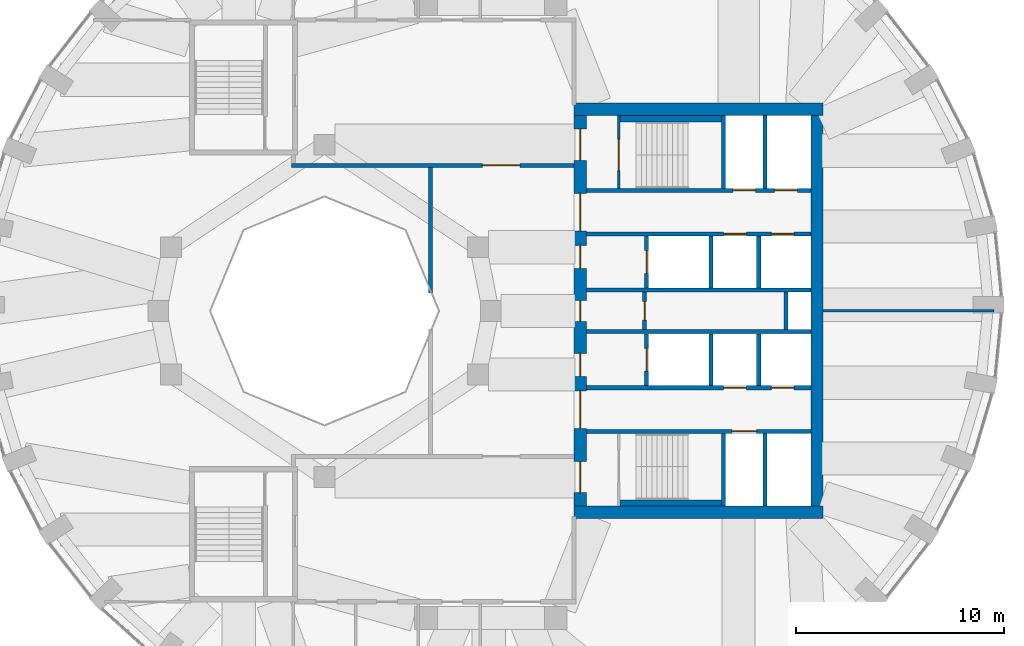
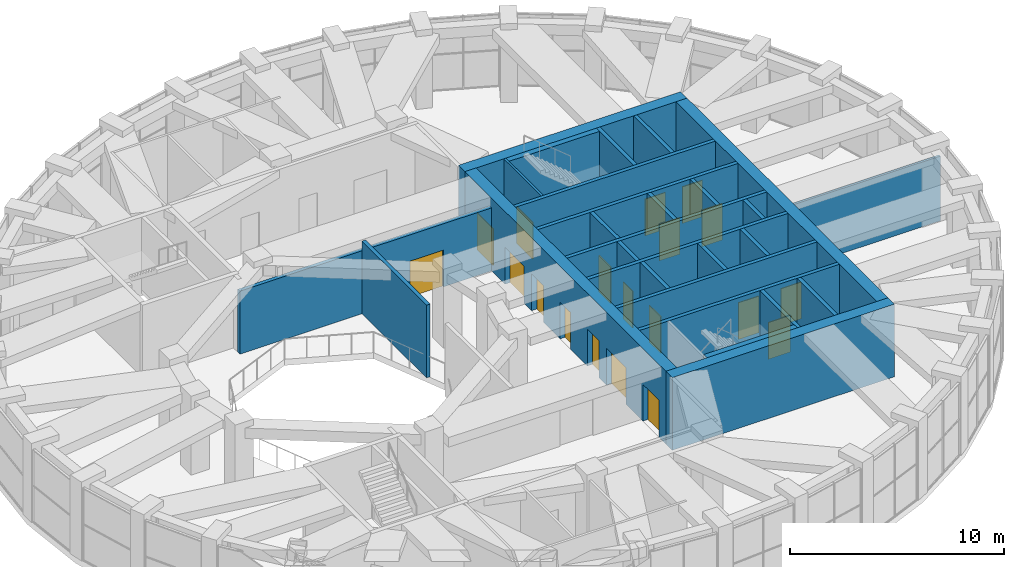
# One storey, part 14 of 17: 28 walls, 19 doors, 19 openings.
"""IFC4 building model written with IfcOpenShell, lengths in metres."""

from ifc_helpers import new_model, si_unit, direction, frame, frame_2d, origin, place, context, subcontext, project, spatial, rectangle, extrude, material, layer, layer_set, type_object, element, fill, save


model = new_model("IFC4")

# Units and contexts
model_context = context("Model", 3, precision=1e-05, world=origin(), true_north=direction((0.0, 1.0)))
body_context = subcontext(model_context, "Body", "Model", "MODEL_VIEW")
ifc_project = project(units=[si_unit("LENGTHUNIT", "METRE"), si_unit("AREAUNIT", "SQUARE_METRE"), si_unit("VOLUMEUNIT", "CUBIC_METRE"), si_unit("PLANEANGLEUNIT", "RADIAN"), si_unit("MASSUNIT", "GRAM", prefix="KILO")], contexts=[model_context])

# Site, building, storey
site_placement = place(None, origin())
site = spatial("IfcSite", under=ifc_project, at=site_placement, CompositionType="ELEMENT")
building_placement = place(site_placement, origin())
building = spatial("IfcBuilding", under=site, at=building_placement, Name="Taillehof Tower", CompositionType="ELEMENT")
storey_placement = place(building_placement, frame((0.0, 0.0, 259.699951171875)))
storey = spatial("IfcBuildingStorey", under=building, at=storey_placement, Name="L74", CompositionType="ELEMENT", Elevation=259.699951171875)

# Wall, opening, door
ifc_material_1 = material(Name="Calcium silicate blockwork", Category="masonry")
ifc_layer_1 = layer(ifc_material_1, 0.199951171875)
ifc_layer_set_1 = layer_set([ifc_layer_1], Name="Compartment wall EI 60 200 mm")
wall_type_1 = type_object("IfcWallType", Name="Compartment wall EI 60 200 mm", PredefinedType="PARTITIONING", material=ifc_layer_set_1)
wall_1_placement = place(storey_placement, frame((-9.60009765625, 7.0, 0.0), z_axis=(0.0, 0.0, 1.0), x_axis=(1.0, 0.0, 0.0)))
wall_1 = element("IfcWall", 1, at=wall_1_placement, inside=storey, type_object=wall_type_1, Name="Wall L74-07 / L74-12", PredefinedType="PARTITIONING", context=body_context, shape_type="SweptSolid", body=[
    extrude(rectangle(XDim=13.60205078125, YDim=0.199951171875, at=frame_2d((6.801025390625, 0.0))), origin(), (0.0, 0.0, 1.0), 3.60009765625),
])
opening_1_placement = place(wall_1_placement, frame((9.200927734375, 0.0, 0.0)))
opening_1 = element("IfcOpeningElement", 2, at=opening_1_placement, cuts=wall_1, Name="Opening D7447", PredefinedType="OPENING", context=body_context, shape_type="SweptSolid", body=[
    extrude(rectangle(XDim=1.800048828125, YDim=2.10009765625, at=frame_2d((0.89990234375, 1.050048828125))), frame((0.0, 0.10986328125, 0.0), z_axis=(0.0, -1.0, 0.0), x_axis=(1.0, 0.0, 0.0)), (0.0, 0.0, 1.0), 0.219970703125),
])
ifc_material_2 = material(Name="Hollow metal door set")
door_type_1 = type_object("IfcDoorType", Name="Double door 1800 x 2100 FD60S", OperationType="DOUBLE_DOOR_SINGLE_SWING", PredefinedType="DOOR", material=ifc_material_2)
door_1_placement = place(opening_1_placement, origin())
door_1 = element("IfcDoor", 3, at=door_1_placement, inside=storey, type_object=door_type_1, Name="Door D7447", OperationType="DOUBLE_DOOR_SINGLE_SWING", OverallHeight=2.10009765625, OverallWidth=1.800048828125, PredefinedType="DOOR", context=body_context, shape_type="SweptSolid", body=[
    extrude(rectangle(XDim=1.800048828125, YDim=2.10009765625, at=frame_2d((0.89990234375, 1.050048828125))), frame((0.0, 0.02490234375, 0.0), z_axis=(0.0, -1.0, 0.0), x_axis=(1.0, 0.0, 0.0)), (0.0, 0.0, 1.0), 0.050048828125),
])
fill(opening_1, door_1)

# Wall
wall_2_placement = place(storey_placement, frame((-2.89990234375, 0.86572265625, 0.0), z_axis=(0.0, 0.0, 1.0), x_axis=(0.0, 1.0, 0.0)))
element("IfcWall", 4, at=wall_2_placement, inside=storey, type_object=wall_type_1, Name="Wall L74-09 / L74-12", PredefinedType="PARTITIONING", context=body_context, shape_type="SweptSolid", body=[
    extrude(rectangle(XDim=6.0341796875, YDim=0.199951171875, at=frame_2d((3.01708984375, 0.0))), origin(), (0.0, 0.0, 1.0), 4.150146484375),
])

# Wall, opening, door
ifc_material_3 = material(Name="Calcium silicate masonry", Category="masonry")
ifc_layer_2 = layer(ifc_material_3, 0.199951171875)
ifc_layer_set_2 = layer_set([ifc_layer_2], Name="Compartment wall calcium silicate 200")
wall_type_2 = type_object("IfcWallType", Name="Compartment wall calcium silicate 200", PredefinedType="PARTITIONING", material=ifc_layer_set_2)
wall_3_placement = place(storey_placement, frame((7.39990234375, -0.89990234375, 0.0), z_axis=(0.0, 0.0, 1.0), x_axis=(0.0, 1.0, 0.0)))
wall_3 = element("IfcWall", 5, at=wall_3_placement, inside=storey, type_object=wall_type_2, Name="Compartment wall FW", PredefinedType="PARTITIONING", context=body_context, shape_type="SweptSolid", body=[
    extrude(rectangle(XDim=1.7998046875, YDim=0.199951171875, at=frame_2d((0.89990234375, 0.0))), origin(), (0.0, 0.0, 1.0), 4.150146484375),
])
opening_2_placement = place(wall_3_placement, frame((0.449951171875, 0.0, 0.0)))
opening_2 = element("IfcOpeningElement", 6, at=opening_2_placement, cuts=wall_3, Name="Opening D7412", PredefinedType="OPENING", context=body_context, shape_type="SweptSolid", body=[
    extrude(rectangle(XDim=0.89990234375, YDim=2.10009765625, at=frame_2d((0.449951171875, 1.050048828125))), frame((0.0, 0.10986328125, 0.0), z_axis=(0.0, -1.0, 0.0), x_axis=(1.0, 0.0, 0.0)), (0.0, 0.0, 1.0), 0.219970703125),
])
ifc_material_4 = material(Name="Steel-faced fire door", Category="steel")
door_type_2 = type_object("IfcDoorType", Name="Riser and service room door 900x2100", OperationType="SINGLE_SWING_LEFT", PredefinedType="DOOR", material=ifc_material_4)
door_2_placement = place(opening_2_placement, origin())
door_2 = element("IfcDoor", 7, at=door_2_placement, inside=storey, type_object=door_type_2, Name="Door Bms Room", OperationType="SINGLE_SWING_RIGHT", OverallHeight=2.10009765625, OverallWidth=0.89990234375, PredefinedType="DOOR", context=body_context, shape_type="SweptSolid", body=[
    extrude(rectangle(XDim=0.89990234375, YDim=2.10009765625, at=frame_2d((0.449951171875, 1.050048828125))), frame((0.0, 0.02490234375, 0.0), z_axis=(0.0, -1.0, 0.0), x_axis=(1.0, 0.0, 0.0)), (0.0, 0.0, 1.0), 0.050048828125),
])
fill(opening_2, door_2)

# Walls
wall_4_placement = place(storey_placement, frame((14.199951171875, -0.89990234375, 0.0), z_axis=(0.0, 0.0, 1.0), x_axis=(0.0, 1.0, 0.0)))
element("IfcWall", 8, at=wall_4_placement, inside=storey, type_object=wall_type_2, Name="Compartment wall FW", PredefinedType="PARTITIONING", context=body_context, shape_type="SweptSolid", body=[
    extrude(rectangle(XDim=1.7998046875, YDim=0.199951171875, at=frame_2d((0.89990234375, 0.0))), origin(), (0.0, 0.0, 1.0), 4.150146484375),
])
ifc_material_5 = material(Name="Calcium silicate masonry", Category="masonry")
ifc_layer_3 = layer(ifc_material_5, 0.300048828125)
ifc_layer_set_3 = layer_set([ifc_layer_3], Name="Compartment wall lining calcium silicate 300")
wall_type_3 = type_object("IfcWallType", Name="Compartment wall lining calcium silicate 300", PredefinedType="PARTITIONING", material=ifc_layer_set_3)
for number, where, z_axis, x_axis, name in (
    (9, (6.219970703125, 9.25, 0.0), (0.0, 0.0, 1.0), (1.0, 0.0, 0.0), "Compartment wall FW"),
    (10, (6.219970703125, -9.25, 0.0), (0.0, 0.0, 1.0), (1.0, 0.0, 0.0), "Compartment wall FW"),
):
    element("IfcWall", number, at=place(storey_placement, frame(where, z_axis=z_axis, x_axis=x_axis)), inside=storey, type_object=wall_type_3, Name=name, PredefinedType="PARTITIONING", context=body_context, shape_type="SweptSolid", body=[
        extrude(rectangle(XDim=4.880126953125, YDim=0.300048828125, at=frame_2d((2.43994140625, 0.0))), origin(), (0.0, 0.0, 1.0), 4.150146484375),
    ])

# Wall, openings, doors
ifc_material_6 = material(Name="Concrete C80/95", Category="concrete")
ifc_layer_4 = layer(ifc_material_6, 0.60009765625)
ifc_layer_set_4 = layer_set([ifc_layer_4], Name="Core wall C80/95 600")
wall_type_4 = type_object("IfcWallType", Name="Core wall C80/95 600", PredefinedType="SHEAR", material=ifc_layer_set_4)
wall_5_placement = place(storey_placement, frame((4.300048828125, -9.39990234375, 0.0), z_axis=(0.0, 0.0, 1.0), x_axis=(0.0, 1.0, 0.0)))
wall_5 = element("IfcWall", 11, at=wall_5_placement, inside=storey, type_object=wall_type_4, Name="Core wall CW01", PredefinedType="SHEAR", context=body_context, shape_type="SweptSolid", body=[
    extrude(rectangle(XDim=18.7998046875, YDim=0.60009765625, at=frame_2d((9.39990234375, 0.0))), origin(), (0.0, 0.0, 1.0), 4.150146484375),
])
opening_3_placement = place(wall_5_placement, frame((0.64990234375, 0.0, 0.0)))
opening_3 = element("IfcOpeningElement", 12, at=opening_3_placement, cuts=wall_5, Name="Opening D7401", PredefinedType="OPENING", context=body_context, shape_type="SweptSolid", body=[
    extrude(rectangle(XDim=1.5, YDim=2.10009765625, at=frame_2d((0.75, 1.050048828125))), frame((0.0, 0.31005859375, 0.0), z_axis=(0.0, -1.0, 0.0), x_axis=(1.0, 0.0, 0.0)), (0.0, 0.0, 1.0), 0.6201171875),
])
opening_4_placement = place(wall_5_placement, frame((3.75, 0.0, 0.0)))
opening_4 = element("IfcOpeningElement", 13, at=opening_4_placement, cuts=wall_5, Name="Opening D7402", PredefinedType="OPENING", context=body_context, shape_type="SweptSolid", body=[
    extrude(rectangle(XDim=1.800048828125, YDim=2.10009765625, at=frame_2d((0.89990234375, 1.050048828125))), frame((0.0, 0.31005859375, 0.0), z_axis=(0.0, -1.0, 0.0), x_axis=(1.0, 0.0, 0.0)), (0.0, 0.0, 1.0), 0.6201171875),
])
opening_5_placement = place(wall_5_placement, frame((6.25, 0.0, 0.0)))
opening_5 = element("IfcOpeningElement", 14, at=opening_5_placement, cuts=wall_5, Name="Opening D7403", PredefinedType="OPENING", context=body_context, shape_type="SweptSolid", body=[
    extrude(rectangle(XDim=1.10009765625, YDim=2.10009765625, at=frame_2d((0.550048828125, 1.050048828125))), frame((0.0, 0.31005859375, 0.0), z_axis=(0.0, -1.0, 0.0), x_axis=(1.0, 0.0, 0.0)), (0.0, 0.0, 1.0), 0.6201171875),
])
opening_6_placement = place(wall_5_placement, frame((8.89990234375, 0.0, 0.0)))
opening_6 = element("IfcOpeningElement", 15, at=opening_6_placement, cuts=wall_5, Name="Opening D7404", PredefinedType="OPENING", context=body_context, shape_type="SweptSolid", body=[
    extrude(rectangle(XDim=1.0, YDim=2.10009765625, at=frame_2d((0.5, 1.050048828125))), frame((0.0, 0.31005859375, 0.0), z_axis=(0.0, -1.0, 0.0), x_axis=(1.0, 0.0, 0.0)), (0.0, 0.0, 1.0), 0.6201171875),
])
opening_7_placement = place(wall_5_placement, frame((11.449951171875, 0.0, 0.0)))
opening_7 = element("IfcOpeningElement", 16, at=opening_7_placement, cuts=wall_5, Name="Opening D7405", PredefinedType="OPENING", context=body_context, shape_type="SweptSolid", body=[
    extrude(rectangle(XDim=1.10009765625, YDim=2.10009765625, at=frame_2d((0.550048828125, 1.050048828125))), frame((0.0, 0.31005859375, 0.0), z_axis=(0.0, -1.0, 0.0), x_axis=(1.0, 0.0, 0.0)), (0.0, 0.0, 1.0), 0.6201171875),
])
opening_8_placement = place(wall_5_placement, frame((13.25, 0.0, 0.0)))
opening_8 = element("IfcOpeningElement", 17, at=opening_8_placement, cuts=wall_5, Name="Opening D7406", PredefinedType="OPENING", context=body_context, shape_type="SweptSolid", body=[
    extrude(rectangle(XDim=1.800048828125, YDim=2.10009765625, at=frame_2d((0.89990234375, 1.050048828125))), frame((0.0, 0.31005859375, 0.0), z_axis=(0.0, -1.0, 0.0), x_axis=(1.0, 0.0, 0.0)), (0.0, 0.0, 1.0), 0.6201171875),
])
opening_9_placement = place(wall_5_placement, frame((16.64990234375, 0.0, 0.0)))
opening_9 = element("IfcOpeningElement", 18, at=opening_9_placement, cuts=wall_5, Name="Opening D7407", PredefinedType="OPENING", context=body_context, shape_type="SweptSolid", body=[
    extrude(rectangle(XDim=1.5, YDim=2.10009765625, at=frame_2d((0.75, 1.050048828125))), frame((0.0, 0.31005859375, 0.0), z_axis=(0.0, -1.0, 0.0), x_axis=(1.0, 0.0, 0.0)), (0.0, 0.0, 1.0), 0.6201171875),
])
ifc_material_7 = material(Name="Steel-faced fire door", Category="steel")
door_type_3 = type_object("IfcDoorType", Name="Firefighting lobby door 1100x2100", OperationType="SINGLE_SWING_RIGHT", PredefinedType="DOOR", material=ifc_material_7)
door_3_placement = place(opening_5_placement, origin())
door_3 = element("IfcDoor", 19, at=door_3_placement, inside=storey, type_object=door_type_3, Name="Firefighting lobby door FFL-S", OperationType="SINGLE_SWING_RIGHT", OverallHeight=2.10009765625, OverallWidth=1.10009765625, PredefinedType="DOOR", context=body_context, shape_type="SweptSolid", body=[
    extrude(rectangle(XDim=1.10009765625, YDim=2.10009765625, at=frame_2d((0.550048828125, 1.050048828125))), frame((0.0, 0.02490234375, 0.0), z_axis=(0.0, -1.0, 0.0), x_axis=(1.0, 0.0, 0.0)), (0.0, 0.0, 1.0), 0.050048828125),
])
fill(opening_5, door_3)
door_4_placement = place(opening_7_placement, origin())
door_4 = element("IfcDoor", 20, at=door_4_placement, inside=storey, type_object=door_type_3, Name="Firefighting lobby door FFL-N", OperationType="SINGLE_SWING_LEFT", OverallHeight=2.10009765625, OverallWidth=1.10009765625, PredefinedType="DOOR", context=body_context, shape_type="SweptSolid", body=[
    extrude(rectangle(XDim=1.10009765625, YDim=2.10009765625, at=frame_2d((0.550048828125, 1.050048828125))), frame((0.0, 0.02490234375, 0.0), z_axis=(0.0, -1.0, 0.0), x_axis=(1.0, 0.0, 0.0)), (0.0, 0.0, 1.0), 0.050048828125),
])
fill(opening_7, door_4)
ifc_material_8 = material(Name="Steel-faced fire door", Category="steel")
door_type_4 = type_object("IfcDoorType", Name="Lift lobby door 1800x2100", OperationType="DOUBLE_DOOR_SINGLE_SWING", PredefinedType="DOOR", material=ifc_material_8)
door_5_placement = place(opening_4_placement, origin())
door_5 = element("IfcDoor", 21, at=door_5_placement, inside=storey, type_object=door_type_4, Name="Lift lobby door LL-S", OperationType="DOUBLE_DOOR_SINGLE_SWING", OverallHeight=2.10009765625, OverallWidth=1.800048828125, PredefinedType="DOOR", context=body_context, shape_type="SweptSolid", body=[
    extrude(rectangle(XDim=1.800048828125, YDim=2.10009765625, at=frame_2d((0.89990234375, 1.050048828125))), frame((0.0, 0.02490234375, 0.0), z_axis=(0.0, -1.0, 0.0), x_axis=(1.0, 0.0, 0.0)), (0.0, 0.0, 1.0), 0.050048828125),
])
fill(opening_4, door_5)
door_6_placement = place(opening_8_placement, origin())
door_6 = element("IfcDoor", 22, at=door_6_placement, inside=storey, type_object=door_type_4, Name="Lift lobby door LL-N", OperationType="DOUBLE_DOOR_SINGLE_SWING", OverallHeight=2.10009765625, OverallWidth=1.800048828125, PredefinedType="DOOR", context=body_context, shape_type="SweptSolid", body=[
    extrude(rectangle(XDim=1.800048828125, YDim=2.10009765625, at=frame_2d((0.89990234375, 1.050048828125))), frame((0.0, 0.02490234375, 0.0), z_axis=(0.0, -1.0, 0.0), x_axis=(1.0, 0.0, 0.0)), (0.0, 0.0, 1.0), 0.050048828125),
])
fill(opening_8, door_6)
ifc_material_9 = material(Name="Steel-faced fire door", Category="steel")
door_type_5 = type_object("IfcDoorType", Name="Service door 1000x2100", OperationType="SINGLE_SWING_RIGHT", PredefinedType="DOOR", material=ifc_material_9)
door_7_placement = place(opening_6_placement, origin())
door_7 = element("IfcDoor", 23, at=door_7_placement, inside=storey, type_object=door_type_5, Name="Service door SV", OperationType="SINGLE_SWING_RIGHT", OverallHeight=2.10009765625, OverallWidth=1.0, PredefinedType="DOOR", context=body_context, shape_type="SweptSolid", body=[
    extrude(rectangle(XDim=1.0, YDim=2.10009765625, at=frame_2d((0.5, 1.050048828125))), frame((0.0, 0.02490234375, 0.0), z_axis=(0.0, -1.0, 0.0), x_axis=(1.0, 0.0, 0.0)), (0.0, 0.0, 1.0), 0.050048828125),
])
fill(opening_6, door_7)
ifc_material_10 = material(Name="Steel-faced fire door", Category="steel")
door_type_6 = type_object("IfcDoorType", Name="Stair door 1500x2100", OperationType="DOUBLE_DOOR_SINGLE_SWING", PredefinedType="DOOR", material=ifc_material_10)
door_8_placement = place(opening_3_placement, origin())
door_8 = element("IfcDoor", 24, at=door_8_placement, inside=storey, type_object=door_type_6, Name="Stair door S2", OperationType="DOUBLE_DOOR_SINGLE_SWING", OverallHeight=2.10009765625, OverallWidth=1.5, PredefinedType="DOOR", context=body_context, shape_type="SweptSolid", body=[
    extrude(rectangle(XDim=1.5, YDim=2.10009765625, at=frame_2d((0.75, 1.050048828125))), frame((0.0, 0.02490234375, 0.0), z_axis=(0.0, -1.0, 0.0), x_axis=(1.0, 0.0, 0.0)), (0.0, 0.0, 1.0), 0.050048828125),
])
fill(opening_3, door_8)
door_9_placement = place(opening_9_placement, origin())
door_9 = element("IfcDoor", 25, at=door_9_placement, inside=storey, type_object=door_type_6, Name="Stair door S1", OperationType="DOUBLE_DOOR_SINGLE_SWING", OverallHeight=2.10009765625, OverallWidth=1.5, PredefinedType="DOOR", context=body_context, shape_type="SweptSolid", body=[
    extrude(rectangle(XDim=1.5, YDim=2.10009765625, at=frame_2d((0.75, 1.050048828125))), frame((0.0, 0.02490234375, 0.0), z_axis=(0.0, -1.0, 0.0), x_axis=(1.0, 0.0, 0.0)), (0.0, 0.0, 1.0), 0.050048828125),
])
fill(opening_9, door_9)

# Walls
wall_6_placement = place(storey_placement, frame((15.699951171875, -9.39990234375, 0.0), z_axis=(0.0, 0.0, 1.0), x_axis=(0.0, 1.0, 0.0)))
element("IfcWall", 26, at=wall_6_placement, inside=storey, type_object=wall_type_4, Name="Core wall CW05", PredefinedType="SHEAR", context=body_context, shape_type="SweptSolid", body=[
    extrude(rectangle(XDim=18.7998046875, YDim=0.60009765625, at=frame_2d((9.39990234375, 0.0))), origin(), (0.0, 0.0, 1.0), 4.150146484375),
])
for number, where, z_axis, x_axis, name in (
    (27, (4.0, 9.699951171875, 0.0), (0.0, 0.0, 1.0), (1.0, 0.0, 0.0), "Core wall CW06"),
    (28, (4.0, -9.699951171875, 0.0), (0.0, 0.0, 1.0), (1.0, 0.0, 0.0), "Core wall CW07"),
):
    element("IfcWall", number, at=place(storey_placement, frame(where, z_axis=z_axis, x_axis=x_axis)), inside=storey, type_object=wall_type_4, Name=name, PredefinedType="SHEAR", context=body_context, shape_type="SweptSolid", body=[
        extrude(rectangle(XDim=12.0, YDim=0.60009765625, at=frame_2d((6.0, 0.0))), origin(), (0.0, 0.0, 1.0), 4.150146484375),
    ])
ifc_material_11 = material(Name="Gypsum board partition on steel studs", Category="steel")
ifc_layer_5 = layer(ifc_material_11, 0.125)
ifc_layer_set_5 = layer_set([ifc_layer_5], Name="Partition wall EI 30 125 mm")
wall_type_5 = type_object("IfcWallType", Name="Partition wall EI 30 125 mm", PredefinedType="PARTITIONING", material=ifc_layer_set_5)
wall_7_placement = place(storey_placement, frame((15.998046875, 0.0, 0.0), z_axis=(0.0, 0.0, 1.0), x_axis=(1.0, 0.0, 0.0)))
element("IfcWall", 29, at=wall_7_placement, inside=storey, type_object=wall_type_5, Name="Wall L74-10 / L74-11", PredefinedType="PARTITIONING", context=body_context, shape_type="SweptSolid", body=[
    extrude(rectangle(XDim=8.228759765625, YDim=0.125, at=frame_2d((4.1142578125, 0.0))), origin(), (0.0, 0.0, 1.0), 3.699951171875),
])

# Wall, openings, doors
ifc_material_12 = material(Name="Concrete C50/60", Category="concrete")
ifc_layer_6 = layer(ifc_material_12, 0.199951171875)
ifc_layer_set_6 = layer_set([ifc_layer_6], Name="Shaft wall C50/60 200")
wall_type_6 = type_object("IfcWallType", Name="Shaft wall C50/60 200", PredefinedType="SHEAR", material=ifc_layer_set_6)
wall_8_placement = place(storey_placement, frame((4.60009765625, 5.800048828125, 0.0), z_axis=(0.0, 0.0, 1.0), x_axis=(1.0, 0.0, 0.0)))
wall_8 = element("IfcWall", 30, at=wall_8_placement, inside=storey, type_object=wall_type_6, Name="Shaft wall SW", PredefinedType="SHEAR", context=body_context, shape_type="SweptSolid", body=[
    extrude(rectangle(XDim=10.7998046875, YDim=0.199951171875, at=frame_2d((5.39990234375, 0.0))), origin(), (0.0, 0.0, 1.0), 4.150146484375),
])
opening_10_placement = place(wall_8_placement, frame((7.050048828125, 0.0, 0.0)))
opening_10 = element("IfcOpeningElement", 31, at=opening_10_placement, cuts=wall_8, Name="Opening LD1", PredefinedType="OPENING", context=body_context, shape_type="SweptSolid", body=[
    extrude(rectangle(XDim=1.10009765625, YDim=2.10009765625, at=frame_2d((0.550048828125, 1.050048828125))), frame((0.0, 0.10986328125, 0.0), z_axis=(0.0, -1.0, 0.0), x_axis=(1.0, 0.0, 0.0)), (0.0, 0.0, 1.0), 0.219970703125),
])
opening_11_placement = place(wall_8_placement, frame((9.050048828125, 0.0, 0.0)))
opening_11 = element("IfcOpeningElement", 32, at=opening_11_placement, cuts=wall_8, Name="Opening LD1", PredefinedType="OPENING", context=body_context, shape_type="SweptSolid", body=[
    extrude(rectangle(XDim=1.10009765625, YDim=2.10009765625, at=frame_2d((0.550048828125, 1.050048828125))), frame((0.0, 0.10986328125, 0.0), z_axis=(0.0, -1.0, 0.0), x_axis=(1.0, 0.0, 0.0)), (0.0, 0.0, 1.0), 0.219970703125),
])
ifc_material_13 = material(Name="Stainless steel", Category="steel")
door_type_7 = type_object("IfcDoorType", Name="Lift landing door LD1 1100x2100", OperationType="DOUBLE_DOOR_SLIDING", PredefinedType="DOOR", material=ifc_material_13)
door_10_placement = place(opening_10_placement, origin())
door_10 = element("IfcDoor", 33, at=door_10_placement, inside=storey, type_object=door_type_7, Name="Landing door HR1", OperationType="DOUBLE_DOOR_SLIDING", OverallHeight=2.10009765625, OverallWidth=1.10009765625, PredefinedType="DOOR", context=body_context, shape_type="SweptSolid", body=[
    extrude(rectangle(XDim=1.10009765625, YDim=2.10009765625, at=frame_2d((0.550048828125, 1.050048828125))), frame((0.0, 0.02490234375, 0.0), z_axis=(0.0, -1.0, 0.0), x_axis=(1.0, 0.0, 0.0)), (0.0, 0.0, 1.0), 0.050048828125),
])
fill(opening_10, door_10)
door_11_placement = place(opening_11_placement, origin())
door_11 = element("IfcDoor", 34, at=door_11_placement, inside=storey, type_object=door_type_7, Name="Landing door HR2", OperationType="DOUBLE_DOOR_SLIDING", OverallHeight=2.10009765625, OverallWidth=1.10009765625, PredefinedType="DOOR", context=body_context, shape_type="SweptSolid", body=[
    extrude(rectangle(XDim=1.10009765625, YDim=2.10009765625, at=frame_2d((0.550048828125, 1.050048828125))), frame((0.0, 0.02490234375, 0.0), z_axis=(0.0, -1.0, 0.0), x_axis=(1.0, 0.0, 0.0)), (0.0, 0.0, 1.0), 0.050048828125),
])
fill(opening_11, door_11)

wall_9_placement = place(storey_placement, frame((4.60009765625, 3.699951171875, 0.0), z_axis=(0.0, 0.0, 1.0), x_axis=(1.0, 0.0, 0.0)))
wall_9 = element("IfcWall", 35, at=wall_9_placement, inside=storey, type_object=wall_type_6, Name="Shaft wall SW", PredefinedType="SHEAR", context=body_context, shape_type="SweptSolid", body=[
    extrude(rectangle(XDim=10.7998046875, YDim=0.199951171875, at=frame_2d((5.39990234375, 0.0))), origin(), (0.0, 0.0, 1.0), 4.150146484375),
])
opening_12_placement = place(wall_9_placement, frame((6.60009765625, 0.0, 0.0)))
opening_12 = element("IfcOpeningElement", 36, at=opening_12_placement, cuts=wall_9, Name="Opening LD1", PredefinedType="OPENING", context=body_context, shape_type="SweptSolid", body=[
    extrude(rectangle(XDim=1.10009765625, YDim=2.10009765625, at=frame_2d((0.550048828125, 1.050048828125))), frame((0.0, 0.10986328125, 0.0), z_axis=(0.0, -1.0, 0.0), x_axis=(1.0, 0.0, 0.0)), (0.0, 0.0, 1.0), 0.219970703125),
])
opening_13_placement = place(wall_9_placement, frame((8.89990234375, 0.0, 0.0)))
opening_13 = element("IfcOpeningElement", 37, at=opening_13_placement, cuts=wall_9, Name="Opening LD1", PredefinedType="OPENING", context=body_context, shape_type="SweptSolid", body=[
    extrude(rectangle(XDim=1.10009765625, YDim=2.10009765625, at=frame_2d((0.550048828125, 1.050048828125))), frame((0.0, 0.10986328125, 0.0), z_axis=(0.0, -1.0, 0.0), x_axis=(1.0, 0.0, 0.0)), (0.0, 0.0, 1.0), 0.219970703125),
])
door_12_placement = place(opening_12_placement, origin())
door_12 = element("IfcDoor", 38, at=door_12_placement, inside=storey, type_object=door_type_7, Name="Landing door HR3", OperationType="DOUBLE_DOOR_SLIDING", OverallHeight=2.10009765625, OverallWidth=1.10009765625, PredefinedType="DOOR", context=body_context, shape_type="SweptSolid", body=[
    extrude(rectangle(XDim=1.10009765625, YDim=2.10009765625, at=frame_2d((0.550048828125, 1.050048828125))), frame((0.0, 0.02490234375, 0.0), z_axis=(0.0, -1.0, 0.0), x_axis=(1.0, 0.0, 0.0)), (0.0, 0.0, 1.0), 0.050048828125),
])
fill(opening_12, door_12)
door_13_placement = place(opening_13_placement, origin())
door_13 = element("IfcDoor", 39, at=door_13_placement, inside=storey, type_object=door_type_7, Name="Landing door HR4", OperationType="DOUBLE_DOOR_SLIDING", OverallHeight=2.10009765625, OverallWidth=1.10009765625, PredefinedType="DOOR", context=body_context, shape_type="SweptSolid", body=[
    extrude(rectangle(XDim=1.10009765625, YDim=2.10009765625, at=frame_2d((0.550048828125, 1.050048828125))), frame((0.0, 0.02490234375, 0.0), z_axis=(0.0, -1.0, 0.0), x_axis=(1.0, 0.0, 0.0)), (0.0, 0.0, 1.0), 0.050048828125),
])
fill(opening_13, door_13)

# Walls
for number, where, z_axis, x_axis, name in (
    (40, (4.60009765625, 1.0, 0.0), (0.0, 0.0, 1.0), (1.0, 0.0, 0.0), "Shaft wall SW"),
    (41, (4.60009765625, -1.0, 0.0), (0.0, 0.0, 1.0), (1.0, 0.0, 0.0), "Shaft wall SW"),
):
    element("IfcWall", number, at=place(storey_placement, frame(where, z_axis=z_axis, x_axis=x_axis)), inside=storey, type_object=wall_type_6, Name=name, PredefinedType="SHEAR", context=body_context, shape_type="SweptSolid", body=[
        extrude(rectangle(XDim=10.7998046875, YDim=0.199951171875, at=frame_2d((5.39990234375, 0.0))), origin(), (0.0, 0.0, 1.0), 4.150146484375),
    ])

# Wall, openings, doors
wall_10_placement = place(storey_placement, frame((4.60009765625, -3.699951171875, 0.0), z_axis=(0.0, 0.0, 1.0), x_axis=(1.0, 0.0, 0.0)))
wall_10 = element("IfcWall", 42, at=wall_10_placement, inside=storey, type_object=wall_type_6, Name="Shaft wall SW", PredefinedType="SHEAR", context=body_context, shape_type="SweptSolid", body=[
    extrude(rectangle(XDim=10.7998046875, YDim=0.199951171875, at=frame_2d((5.39990234375, 0.0))), origin(), (0.0, 0.0, 1.0), 4.150146484375),
])
opening_14_placement = place(wall_10_placement, frame((6.60009765625, 0.0, 0.0)))
opening_14 = element("IfcOpeningElement", 43, at=opening_14_placement, cuts=wall_10, Name="Opening LD1", PredefinedType="OPENING", context=body_context, shape_type="SweptSolid", body=[
    extrude(rectangle(XDim=1.10009765625, YDim=2.10009765625, at=frame_2d((0.550048828125, 1.050048828125))), frame((0.0, 0.10986328125, 0.0), z_axis=(0.0, -1.0, 0.0), x_axis=(1.0, 0.0, 0.0)), (0.0, 0.0, 1.0), 0.219970703125),
])
opening_15_placement = place(wall_10_placement, frame((8.89990234375, 0.0, 0.0)))
opening_15 = element("IfcOpeningElement", 44, at=opening_15_placement, cuts=wall_10, Name="Opening LD1", PredefinedType="OPENING", context=body_context, shape_type="SweptSolid", body=[
    extrude(rectangle(XDim=1.10009765625, YDim=2.10009765625, at=frame_2d((0.550048828125, 1.050048828125))), frame((0.0, 0.10986328125, 0.0), z_axis=(0.0, -1.0, 0.0), x_axis=(1.0, 0.0, 0.0)), (0.0, 0.0, 1.0), 0.219970703125),
])
door_14_placement = place(opening_14_placement, origin())
door_14 = element("IfcDoor", 45, at=door_14_placement, inside=storey, type_object=door_type_7, Name="Landing door HR5", OperationType="DOUBLE_DOOR_SLIDING", OverallHeight=2.10009765625, OverallWidth=1.10009765625, PredefinedType="DOOR", context=body_context, shape_type="SweptSolid", body=[
    extrude(rectangle(XDim=1.10009765625, YDim=2.10009765625, at=frame_2d((0.550048828125, 1.050048828125))), frame((0.0, 0.02490234375, 0.0), z_axis=(0.0, -1.0, 0.0), x_axis=(1.0, 0.0, 0.0)), (0.0, 0.0, 1.0), 0.050048828125),
])
fill(opening_14, door_14)
door_15_placement = place(opening_15_placement, origin())
door_15 = element("IfcDoor", 46, at=door_15_placement, inside=storey, type_object=door_type_7, Name="Landing door HR6", OperationType="DOUBLE_DOOR_SLIDING", OverallHeight=2.10009765625, OverallWidth=1.10009765625, PredefinedType="DOOR", context=body_context, shape_type="SweptSolid", body=[
    extrude(rectangle(XDim=1.10009765625, YDim=2.10009765625, at=frame_2d((0.550048828125, 1.050048828125))), frame((0.0, 0.02490234375, 0.0), z_axis=(0.0, -1.0, 0.0), x_axis=(1.0, 0.0, 0.0)), (0.0, 0.0, 1.0), 0.050048828125),
])
fill(opening_15, door_15)

# Wall, opening, door
wall_11_placement = place(storey_placement, frame((4.60009765625, -5.800048828125, 0.0), z_axis=(0.0, 0.0, 1.0), x_axis=(1.0, 0.0, 0.0)))
wall_11 = element("IfcWall", 47, at=wall_11_placement, inside=storey, type_object=wall_type_6, Name="Shaft wall SW", PredefinedType="SHEAR", context=body_context, shape_type="SweptSolid", body=[
    extrude(rectangle(XDim=10.7998046875, YDim=0.199951171875, at=frame_2d((5.39990234375, 0.0))), origin(), (0.0, 0.0, 1.0), 4.150146484375),
])
opening_16_placement = place(wall_11_placement, frame((7.0, 0.0, 0.0)))
opening_16 = element("IfcOpeningElement", 48, at=opening_16_placement, cuts=wall_11, Name="Opening LD2", PredefinedType="OPENING", context=body_context, shape_type="SweptSolid", body=[
    extrude(rectangle(XDim=1.199951171875, YDim=2.10009765625, at=frame_2d((0.60009765625, 1.050048828125))), frame((0.0, 0.10986328125, 0.0), z_axis=(0.0, -1.0, 0.0), x_axis=(1.0, 0.0, 0.0)), (0.0, 0.0, 1.0), 0.219970703125),
])
ifc_material_14 = material(Name="Stainless steel", Category="steel")
door_type_8 = type_object("IfcDoorType", Name="Lift landing door LD2 1200x2100", OperationType="DOUBLE_DOOR_SLIDING", PredefinedType="DOOR", material=ifc_material_14)
door_16_placement = place(opening_16_placement, origin())
door_16 = element("IfcDoor", 49, at=door_16_placement, inside=storey, type_object=door_type_8, Name="Landing door OB1", OperationType="DOUBLE_DOOR_SLIDING", OverallHeight=2.10009765625, OverallWidth=1.199951171875, PredefinedType="DOOR", context=body_context, shape_type="SweptSolid", body=[
    extrude(rectangle(XDim=1.199951171875, YDim=2.10009765625, at=frame_2d((0.60009765625, 1.050048828125))), frame((0.0, 0.02490234375, 0.0), z_axis=(0.0, -1.0, 0.0), x_axis=(1.0, 0.0, 0.0)), (0.0, 0.0, 1.0), 0.050048828125),
])
fill(opening_16, door_16)

# Walls
for number, where, z_axis, x_axis, name in (
    (50, (11.199951171875, 5.89990234375, 0.0), (0.0, 0.0, 1.0), (0.0, 1.0, 0.0), "Shaft wall SW"),
    (51, (11.199951171875, -9.39990234375, 0.0), (0.0, 0.0, 1.0), (0.0, 1.0, 0.0), "Shaft wall SW"),
    (52, (13.199951171875, 5.89990234375, 0.0), (0.0, 0.0, 1.0), (0.0, 1.0, 0.0), "Shaft wall SW"),
    (53, (13.199951171875, -9.39990234375, 0.0), (0.0, 0.0, 1.0), (0.0, 1.0, 0.0), "Shaft wall SW"),
):
    element("IfcWall", number, at=place(storey_placement, frame(where, z_axis=z_axis, x_axis=x_axis)), inside=storey, type_object=wall_type_6, Name=name, PredefinedType="SHEAR", context=body_context, shape_type="SweptSolid", body=[
        extrude(rectangle(XDim=3.5, YDim=0.199951171875, at=frame_2d((1.75, 0.0))), origin(), (0.0, 0.0, 1.0), 4.150146484375),
    ])

# Wall, opening, door
wall_12_placement = place(storey_placement, frame((7.5, 1.10009765625, 0.0), z_axis=(0.0, 0.0, 1.0), x_axis=(0.0, 1.0, 0.0)))
wall_12 = element("IfcWall", 54, at=wall_12_placement, inside=storey, type_object=wall_type_6, Name="Shaft wall SW", PredefinedType="SHEAR", context=body_context, shape_type="SweptSolid", body=[
    extrude(rectangle(XDim=2.5, YDim=0.199951171875, at=frame_2d((1.25, 0.0))), origin(), (0.0, 0.0, 1.0), 4.150146484375),
])
opening_17_placement = place(wall_12_placement, frame((0.699951171875, 0.0, 0.0)))
opening_17 = element("IfcOpeningElement", 55, at=opening_17_placement, cuts=wall_12, Name="Opening LD1", PredefinedType="OPENING", context=body_context, shape_type="SweptSolid", body=[
    extrude(rectangle(XDim=1.10009765625, YDim=2.10009765625, at=frame_2d((0.550048828125, 1.050048828125))), frame((0.0, 0.10986328125, 0.0), z_axis=(0.0, -1.0, 0.0), x_axis=(1.0, 0.0, 0.0)), (0.0, 0.0, 1.0), 0.219970703125),
])
door_17_placement = place(opening_17_placement, origin())
door_17 = element("IfcDoor", 56, at=door_17_placement, inside=storey, type_object=door_type_7, Name="Landing door FF1", OperationType="DOUBLE_DOOR_SLIDING", OverallHeight=2.10009765625, OverallWidth=1.10009765625, PredefinedType="DOOR", context=body_context, shape_type="SweptSolid", body=[
    extrude(rectangle(XDim=1.10009765625, YDim=2.10009765625, at=frame_2d((0.550048828125, 1.050048828125))), frame((0.0, 0.02490234375, 0.0), z_axis=(0.0, -1.0, 0.0), x_axis=(1.0, 0.0, 0.0)), (0.0, 0.0, 1.0), 0.050048828125),
])
fill(opening_17, door_17)

wall_13_placement = place(storey_placement, frame((7.5, -3.60009765625, 0.0), z_axis=(0.0, 0.0, 1.0), x_axis=(0.0, 1.0, 0.0)))
wall_13 = element("IfcWall", 57, at=wall_13_placement, inside=storey, type_object=wall_type_6, Name="Shaft wall SW", PredefinedType="SHEAR", context=body_context, shape_type="SweptSolid", body=[
    extrude(rectangle(XDim=2.5, YDim=0.199951171875, at=frame_2d((1.25, 0.0))), origin(), (0.0, 0.0, 1.0), 4.150146484375),
])
opening_18_placement = place(wall_13_placement, frame((0.699951171875, 0.0, 0.0)))
opening_18 = element("IfcOpeningElement", 58, at=opening_18_placement, cuts=wall_13, Name="Opening LD1", PredefinedType="OPENING", context=body_context, shape_type="SweptSolid", body=[
    extrude(rectangle(XDim=1.10009765625, YDim=2.10009765625, at=frame_2d((0.550048828125, 1.050048828125))), frame((0.0, 0.10986328125, 0.0), z_axis=(0.0, -1.0, 0.0), x_axis=(1.0, 0.0, 0.0)), (0.0, 0.0, 1.0), 0.219970703125),
])
door_18_placement = place(opening_18_placement, origin())
door_18 = element("IfcDoor", 59, at=door_18_placement, inside=storey, type_object=door_type_7, Name="Landing door FF2", OperationType="DOUBLE_DOOR_SLIDING", OverallHeight=2.10009765625, OverallWidth=1.10009765625, PredefinedType="DOOR", context=body_context, shape_type="SweptSolid", body=[
    extrude(rectangle(XDim=1.10009765625, YDim=2.10009765625, at=frame_2d((0.550048828125, 1.050048828125))), frame((0.0, 0.02490234375, 0.0), z_axis=(0.0, -1.0, 0.0), x_axis=(1.0, 0.0, 0.0)), (0.0, 0.0, 1.0), 0.050048828125),
])
fill(opening_18, door_18)

# Walls
for number, where, z_axis, x_axis, name in (
    (60, (10.60009765625, 1.10009765625, 0.0), (0.0, 0.0, 1.0), (0.0, 1.0, 0.0), "Shaft wall SW"),
    (61, (10.60009765625, -3.60009765625, 0.0), (0.0, 0.0, 1.0), (0.0, 1.0, 0.0), "Shaft wall SW"),
    (62, (12.89990234375, 1.10009765625, 0.0), (0.0, 0.0, 1.0), (0.0, 1.0, 0.0), "Shaft wall SW"),
    (63, (12.89990234375, -3.60009765625, 0.0), (0.0, 0.0, 1.0), (0.0, 1.0, 0.0), "Shaft wall SW"),
):
    element("IfcWall", number, at=place(storey_placement, frame(where, z_axis=z_axis, x_axis=x_axis)), inside=storey, type_object=wall_type_6, Name=name, PredefinedType="SHEAR", context=body_context, shape_type="SweptSolid", body=[
        extrude(rectangle(XDim=2.5, YDim=0.199951171875, at=frame_2d((1.25, 0.0))), origin(), (0.0, 0.0, 1.0), 4.150146484375),
    ])

# Wall, opening, door
ifc_material_15 = material(Name="Concrete C50/60", Category="concrete")
ifc_layer_7 = layer(ifc_material_15, 0.1201171875)
ifc_layer_set_7 = layer_set([ifc_layer_7], Name="Stair lobby wall C50/60 120")
wall_type_7 = type_object("IfcWallType", Name="Stair lobby wall C50/60 120", PredefinedType="SHEAR", material=ifc_layer_set_7)
wall_14_placement = place(storey_placement, frame((6.159912109375, 5.89990234375, 0.0), z_axis=(0.0, 0.0, 1.0), x_axis=(0.0, 1.0, 0.0)))
wall_14 = element("IfcWall", 64, at=wall_14_placement, inside=storey, type_object=wall_type_7, Name="Compartment wall SW", PredefinedType="SHEAR", context=body_context, shape_type="SweptSolid", body=[
    extrude(rectangle(XDim=3.5, YDim=0.1201171875, at=frame_2d((1.75, 0.0))), origin(), (0.0, 0.0, 1.0), 4.150146484375),
])
opening_19_placement = place(wall_14_placement, frame((0.85009765625, 0.0, 0.0)))
opening_19 = element("IfcOpeningElement", 65, at=opening_19_placement, cuts=wall_14, Name="Opening D7408", PredefinedType="OPENING", context=body_context, shape_type="SweptSolid", body=[
    extrude(rectangle(XDim=1.5, YDim=2.10009765625, at=frame_2d((0.75, 1.050048828125))), frame((0.0, 0.070068359375, 0.0), z_axis=(0.0, -1.0, 0.0), x_axis=(1.0, 0.0, 0.0)), (0.0, 0.0, 1.0), 0.14013671875),
])
door_19_placement = place(opening_19_placement, origin())
door_19 = element("IfcDoor", 66, at=door_19_placement, inside=storey, type_object=door_type_6, Name="Stair lobby door S1", OperationType="DOUBLE_DOOR_SINGLE_SWING", OverallHeight=2.10009765625, OverallWidth=1.5, PredefinedType="DOOR", context=body_context, shape_type="SweptSolid", body=[
    extrude(rectangle(XDim=1.5, YDim=2.10009765625, at=frame_2d((0.75, 1.050048828125))), frame((0.0, 0.02490234375, 0.0), z_axis=(0.0, -1.0, 0.0), x_axis=(1.0, 0.0, 0.0)), (0.0, 0.0, 1.0), 0.050048828125),
])
fill(opening_19, door_19)

save(model, "model.ifc")
